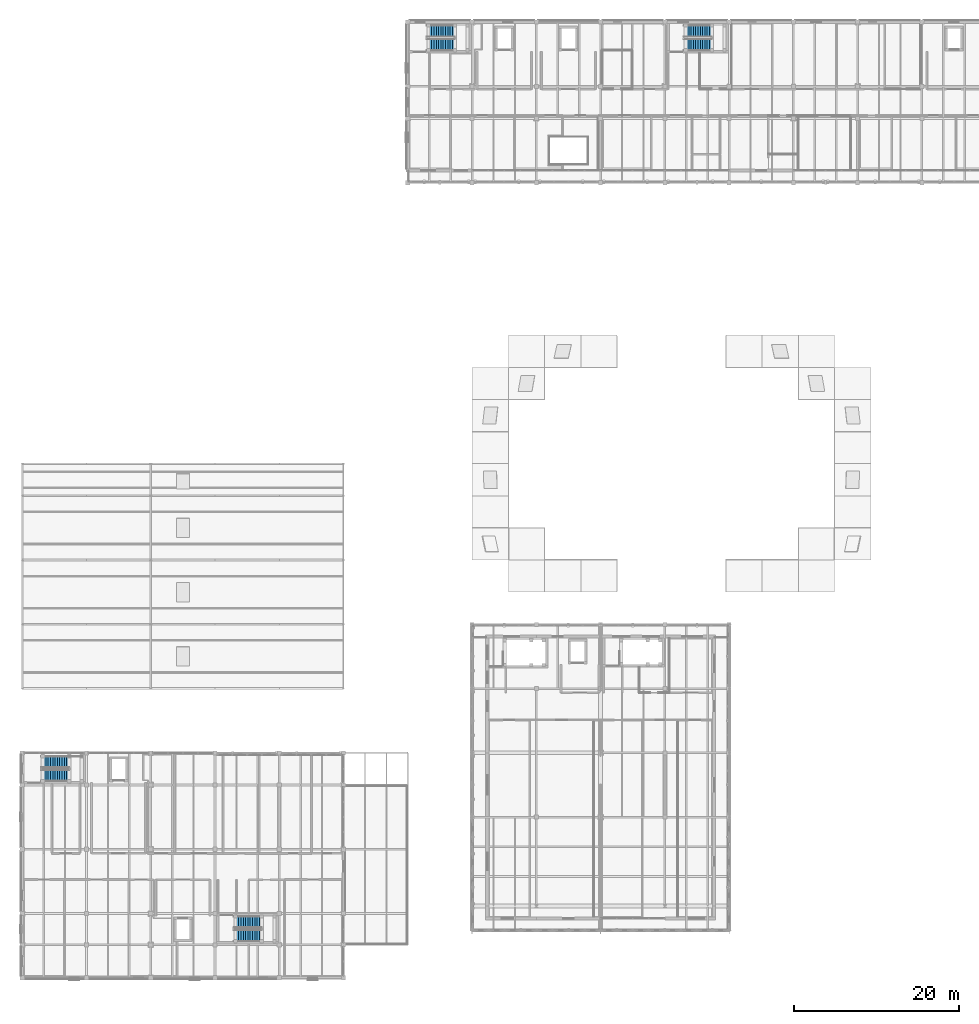
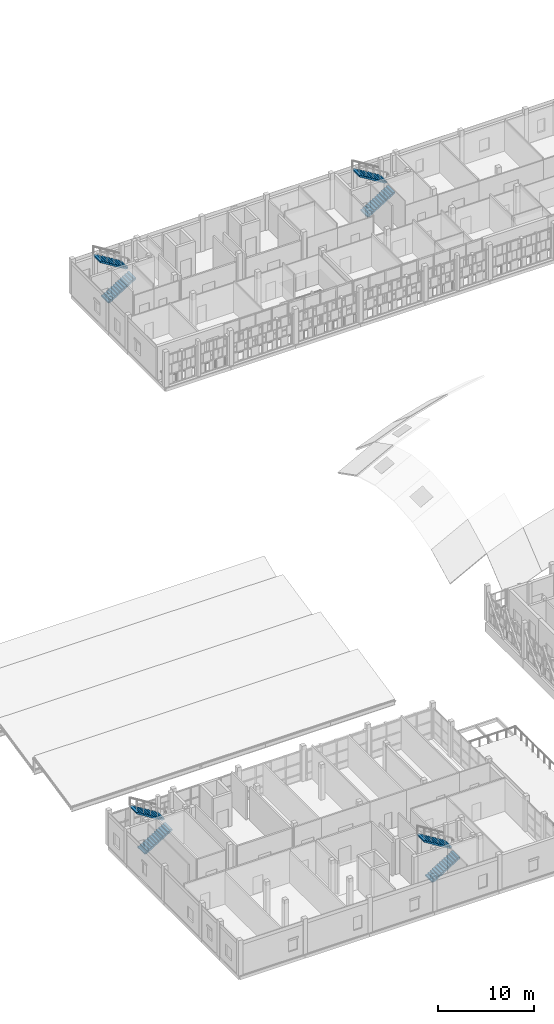
# One storey, part 73 of 89: 8 stair flights, 4 elements without a shape of their own.
"""IFC4 building model written with IfcOpenShell, lengths in metres."""

import ifcopenshell
import ifcopenshell.guid

model = None  # the IFC model being written
_history = None  # IfcOwnerHistory: only IFC2X3 demands one
_inside = {}  # id of a spatial element -> (the spatial element, [elements in it])
_under = {}  # id of a project, library or spatial element -> (it, [spatial elements below it])
_declared = {}  # id of a project -> (the project, [libraries it declares])
_typed = {}  # id of a type object -> (the type object, [elements of that type])
_made_of = {}  # id of a material, layer set ... -> (it, [elements and type objects made of it])


def new_model(schema):
    """Start an empty IFC model of exactly this schema.

    Asked for "IFC4X3", IfcOpenShell would pick the latest addendum, in which some entities
    have other attributes; the version numbers below select the first issue.
    IFC2X3 requires an IfcOwnerHistory on every rooted entity: one is made here for all.
    """
    global model, _history
    if schema == "IFC4X3":
        model = ifcopenshell.file(schema_version=(4, 3, 0, 0))
    else:
        model = ifcopenshell.file(schema=schema)
    _inside.clear()
    _under.clear()
    _declared.clear()
    _typed.clear()
    _made_of.clear()
    _history = None
    if model.schema == "IFC2X3":
        org = make("IfcOrganization", Name="unknown")
        user = make(
            "IfcPersonAndOrganization",
            ThePerson=make("IfcPerson", FamilyName="unknown"),
            TheOrganization=org,
        )
        app = make(
            "IfcApplication",
            ApplicationDeveloper=org,
            Version="unknown",
            ApplicationFullName="unknown",
            ApplicationIdentifier="unknown",
        )
        _history = make(
            "IfcOwnerHistory",
            OwningUser=user,
            OwningApplication=app,
            ChangeAction="ADDED",
            CreationDate=0,
        )
    return model


def make(cls, **values):
    """One entity of the class cls with the attributes given. An attribute that is None is left unset."""
    return model.create_entity(
        cls, **{name: value for name, value in values.items() if value is not None}
    )


def rooted(cls, **values):
    """An entity with a GlobalId (a new one), such as an element, a storey or a relation."""
    return make(cls, GlobalId=ifcopenshell.guid.new(), OwnerHistory=_history, **values)


def si_unit(unit_type, name, prefix=None):
    """IfcSIUnit, for example si_unit("LENGTHUNIT", "METRE", prefix="MILLI")."""
    return make("IfcSIUnit", UnitType=unit_type, Prefix=prefix, Name=name)


def assignment(units):
    """IfcUnitAssignment: the units of a project."""
    return None if units is None else make("IfcUnitAssignment", Units=units)


def point(xyz):
    """IfcCartesianPoint."""
    return None if xyz is None else make("IfcCartesianPoint", Coordinates=xyz)


def direction(xyz):
    """IfcDirection."""
    return None if xyz is None else make("IfcDirection", DirectionRatios=xyz)


def frame(location, z_axis=None, x_axis=None):
    """IfcAxis2Placement3D, a coordinate frame: its origin and axes. An axis left out is left unset."""
    return make(
        "IfcAxis2Placement3D",
        Location=point(location),
        Axis=direction(z_axis),
        RefDirection=direction(x_axis),
    )


def origin():
    """The frame at (0, 0, 0) with its axes left unset."""
    return frame((0.0, 0.0, 0.0))


def place(relative_to, where):
    """IfcLocalPlacement: puts the frame where relative to a parent placement (None: the world)."""
    return make(
        "IfcLocalPlacement", PlacementRelTo=relative_to, RelativePlacement=where
    )


def context(
    kind, dimensions, precision=None, world=None, true_north=None, identifier=None
):
    """IfcGeometricRepresentationContext, for example the 3D "Model" context."""
    return make(
        "IfcGeometricRepresentationContext",
        ContextIdentifier=identifier,
        ContextType=kind,
        CoordinateSpaceDimension=dimensions,
        Precision=precision,
        WorldCoordinateSystem=world,
        TrueNorth=true_north,
    )


def subcontext(parent, identifier, kind, view, scale=None):
    """IfcGeometricRepresentationSubContext, for example "Body" below "Model"."""
    return make(
        "IfcGeometricRepresentationSubContext",
        ContextIdentifier=identifier,
        ContextType=kind,
        ParentContext=parent,
        TargetScale=scale,
        TargetView=view,
    )


def project(units=None, contexts=None):
    """IfcProject with its units and contexts."""
    return rooted(
        "IfcProject",
        Name="project",
        RepresentationContexts=contexts,
        UnitsInContext=assignment(units),
    )


def spatial(cls, under=None, at=None, **own):
    """A site, building, storey or space (cls), placed at a placement, below another one or the project."""
    s = rooted(cls, ObjectPlacement=at, **own)
    if under is not None:
        _under.setdefault(under.id(), (under, []))[1].append(s)
    return s


def polyline(points):
    """IfcPolyline through the points."""
    return make("IfcPolyline", Points=[point(p) for p in points])


def outline(outer, holes=None, kind="AREA"):
    """IfcArbitraryClosedProfileDef: a profile drawn as a closed curve; with holes, ...WithVoids."""
    if holes is None:
        return make("IfcArbitraryClosedProfileDef", ProfileType=kind, OuterCurve=outer)
    return make(
        "IfcArbitraryProfileDefWithVoids",
        ProfileType=kind,
        OuterCurve=outer,
        InnerCurves=holes,
    )


def extrude(swept, where, along, depth):
    """IfcExtrudedAreaSolid: the profile swept, set in the frame where, extruded along a direction by depth."""
    return make(
        "IfcExtrudedAreaSolid",
        SweptArea=swept,
        Position=where,
        ExtrudedDirection=direction(along),
        Depth=depth,
    )


def shape(context_of_items, identifier, shape_type, items):
    """IfcShapeRepresentation: the items that make up one representation, for example the "Body"."""
    return make(
        "IfcShapeRepresentation",
        ContextOfItems=context_of_items,
        RepresentationIdentifier=identifier,
        RepresentationType=shape_type,
        Items=items,
    )


def material(Name=None, Category=None):
    """IfcMaterial."""
    return make("IfcMaterial", Name=Name, Category=Category)


def made_of(thing, what):
    """Note that an element or type object is made of a material, layer set ...; save() writes the relation."""
    if what is not None:
        _made_of.setdefault(what.id(), (what, []))[1].append(thing)
    return thing


def type_object(cls, material=None, **own):
    """A type object (cls), such as IfcWallType, which elements share."""
    return made_of(rooted(cls, **own), material)


def element(
    cls,
    number,
    at=None,
    inside=None,
    cuts=None,
    type_object=None,
    material=None,
    context=None,
    identifier="Body",
    shape_type=None,
    held_by="IfcProductDefinitionShape",
    body=None,
    shapes=None,
    **own,
):
    """One element of the class cls, such as IfcWall. Its Tag is "e" and its number.

    at: its placement. inside: the storey or other place that contains it. cuts: it is an
    opening in that element (IfcRelVoidsElement). A single representation is given by context,
    identifier, shape_type and body (its items); several are given by shapes. held_by: the class
    of the entity that holds the representations. save() writes the other relations.
    """
    e = rooted(cls, Tag="e%d" % number, ObjectPlacement=at, **own)
    if body is not None:
        shapes = [shape(context, identifier, shape_type, body)]
    if shapes is not None:
        e.Representation = make(held_by, Representations=shapes)
    if inside is not None:
        _inside.setdefault(inside.id(), (inside, []))[1].append(e)
    if cuts is not None:
        rooted(
            "IfcRelVoidsElement", RelatingBuildingElement=cuts, RelatedOpeningElement=e
        )
    if type_object is not None:
        _typed.setdefault(type_object.id(), (type_object, []))[1].append(e)
    return made_of(e, material)


def aggregate(whole, parts):
    """IfcRelAggregates: a whole, such as a stair, and the parts it consists of."""
    return rooted("IfcRelAggregates", RelatingObject=whole, RelatedObjects=parts)


def save(model, path):
    """Write the relations noted so far, then the file.

    IfcRelAggregates (storeys below a building ...), IfcRelContainedInSpatialStructure (elements
    in a storey), IfcRelDefinesByType, IfcRelAssociatesMaterial and IfcRelDeclares: one each for
    every whole, place, type object, material and project.
    """
    for whole, parts in _under.values():
        aggregate(whole, parts)
    for where, things in _inside.values():
        rooted(
            "IfcRelContainedInSpatialStructure",
            RelatedElements=things,
            RelatingStructure=where,
        )
    for kind, things in _typed.values():
        rooted("IfcRelDefinesByType", RelatedObjects=things, RelatingType=kind)
    for what, things in _made_of.values():
        rooted("IfcRelAssociatesMaterial", RelatedObjects=things, RelatingMaterial=what)
    for by, libraries in _declared.values():
        rooted("IfcRelDeclares", RelatingContext=by, RelatedDefinitions=libraries)
    model.write(path)


model = new_model("IFC4")

# Units and contexts
model_context = context("Model", 3, precision=1e-05, world=origin(), true_north=direction((0.0, 1.0)))
body_context = subcontext(model_context, "Body", "Model", "MODEL_VIEW")
ifc_project = project(units=[si_unit("LENGTHUNIT", "METRE"), si_unit("AREAUNIT", "SQUARE_METRE"), si_unit("VOLUMEUNIT", "CUBIC_METRE"), si_unit("PLANEANGLEUNIT", "RADIAN"), si_unit("MASSUNIT", "GRAM", prefix="KILO")], contexts=[model_context])

# Site, building, storey
site_placement = place(None, origin())
site = spatial("IfcSite", under=ifc_project, at=site_placement, CompositionType="ELEMENT")
building_placement = place(site_placement, origin())
building = spatial("IfcBuilding", under=site, at=building_placement, Name="Celorna Specialist Clinic", CompositionType="ELEMENT")
storey_placement = place(building_placement, frame((0.0, 0.0, 14.10009765625)))
storey = spatial("IfcBuildingStorey", under=building, at=storey_placement, Name="L03", CompositionType="ELEMENT", Elevation=14.10009765625)

# Stair, stair flights
ifc_material = material(Name="Concrete C35/45", Category="concrete")
stair_type = type_object("IfcStairType", Name="ST-01", PredefinedType="HALF_TURN_STAIR", material=ifc_material)
stair_1_placement = place(storey_placement, origin())
stair_1 = element("IfcStair", 1, at=stair_1_placement, inside=storey, type_object=stair_type, Name="L03 Protected exit stair ST-01", PredefinedType="HALF_TURN_STAIR")
stair_flight_type = type_object("IfcStairFlightType", Name="SFL-01", PredefinedType="STRAIGHT", material=ifc_material)
stair_flight_1_placement = place(storey_placement, frame((49.139892578125, 113.2451171875, 0.0), z_axis=(0.0, 0.0, 1.0), x_axis=(1.0, 0.0, 0.0)))
stair_flight_1 = element("IfcStairFlight", 2, at=stair_flight_1_placement, type_object=stair_flight_type, Name="ST-01 flight 1", NumberOfRisers=13, NumberOfTreads=12, PredefinedType="STRAIGHT", RiserHeight=0.173076923, TreadLength=0.28, context=body_context, shape_type="SweptSolid", body=[
    extrude(outline(polyline([(0.0, 0.0), (0.0, 0.173095703125), (0.280029296875, 0.173095703125), (0.280029296875, 0.34619140625), (0.56005859375, 0.34619140625), (0.56005859375, 0.519287109375), (0.840087890625, 0.519287109375), (0.840087890625, 0.6923828125), (1.1201171875, 0.6923828125), (1.1201171875, 0.865478515625), (1.39990234375, 0.865478515625), (1.39990234375, 1.03857421875), (1.679931640625, 1.03857421875), (1.679931640625, 1.21142578125), (1.9599609375, 1.21142578125), (1.9599609375, 1.384521484375), (2.239990234375, 1.384521484375), (2.239990234375, 1.5576171875), (2.52001953125, 1.5576171875), (2.52001953125, 1.730712890625), (2.800048828125, 1.730712890625), (2.800048828125, 1.90380859375), (3.080078125, 1.90380859375), (3.080078125, 2.076904296875), (3.360107421875, 2.076904296875), (3.360107421875, 2.25), (3.360107421875, 1.900634765625), (0.28515625, 0.0), (0.0, 0.0)])), frame((0.0, 0.72509765625, 0.0), z_axis=(0.0, -1.0, 0.0), x_axis=(1.0, 0.0, 0.0)), (0.0, 0.0, 1.0), 1.449951171875),
])
stair_flight_2_placement = place(storey_placement, frame((52.5, 114.89501953125, 2.25), z_axis=(0.0, 0.0, 1.0), x_axis=(-1.0, 0.0, 0.0)))
stair_flight_2 = element("IfcStairFlight", 3, at=stair_flight_2_placement, type_object=stair_flight_type, Name="ST-01 flight 2", NumberOfRisers=13, NumberOfTreads=12, PredefinedType="STRAIGHT", RiserHeight=0.173076923, TreadLength=0.28, context=body_context, shape_type="SweptSolid", body=[
    extrude(outline(polyline([(0.0, 0.0), (0.0, 0.173095703125), (0.280029296875, 0.173095703125), (0.280029296875, 0.34619140625), (0.56005859375, 0.34619140625), (0.56005859375, 0.519287109375), (0.840087890625, 0.519287109375), (0.840087890625, 0.6923828125), (1.1201171875, 0.6923828125), (1.1201171875, 0.865478515625), (1.39990234375, 0.865478515625), (1.39990234375, 1.03857421875), (1.679931640625, 1.03857421875), (1.679931640625, 1.21142578125), (1.9599609375, 1.21142578125), (1.9599609375, 1.384521484375), (2.239990234375, 1.384521484375), (2.239990234375, 1.5576171875), (2.52001953125, 1.5576171875), (2.52001953125, 1.730712890625), (2.800048828125, 1.730712890625), (2.800048828125, 1.90380859375), (3.080078125, 1.90380859375), (3.080078125, 2.076904296875), (3.360107421875, 2.076904296875), (3.360107421875, 2.25), (3.360107421875, 1.900634765625), (0.28515625, 0.0), (0.0, 0.0)])), frame((0.0, 0.72509765625, 0.0), z_axis=(0.0, -1.0, 0.0), x_axis=(1.0, 0.0, 0.0)), (0.0, 0.0, 1.0), 1.449951171875),
])
aggregate(stair_1, [stair_flight_1, stair_flight_2])

stair_2_placement = place(storey_placement, origin())
stair_2 = element("IfcStair", 4, at=stair_2_placement, inside=storey, type_object=stair_type, Name="L03 Protected exit stair ST-02", PredefinedType="HALF_TURN_STAIR")
stair_flight_3_placement = place(storey_placement, frame((80.340087890625, 113.2451171875, 0.0), z_axis=(0.0, 0.0, 1.0), x_axis=(1.0, 0.0, 0.0)))
stair_flight_3 = element("IfcStairFlight", 5, at=stair_flight_3_placement, type_object=stair_flight_type, Name="ST-02 flight 1", NumberOfRisers=13, NumberOfTreads=12, PredefinedType="STRAIGHT", RiserHeight=0.173076923, TreadLength=0.28, context=body_context, shape_type="SweptSolid", body=[
    extrude(outline(polyline([(0.0, 0.0), (0.0, 0.173095703125), (0.280029296875, 0.173095703125), (0.280029296875, 0.34619140625), (0.56005859375, 0.34619140625), (0.56005859375, 0.519287109375), (0.840087890625, 0.519287109375), (0.840087890625, 0.6923828125), (1.1201171875, 0.6923828125), (1.1201171875, 0.865478515625), (1.39990234375, 0.865478515625), (1.39990234375, 1.03857421875), (1.679931640625, 1.03857421875), (1.679931640625, 1.21142578125), (1.9599609375, 1.21142578125), (1.9599609375, 1.384521484375), (2.239990234375, 1.384521484375), (2.239990234375, 1.5576171875), (2.52001953125, 1.5576171875), (2.52001953125, 1.730712890625), (2.800048828125, 1.730712890625), (2.800048828125, 1.90380859375), (3.080078125, 1.90380859375), (3.080078125, 2.076904296875), (3.360107421875, 2.076904296875), (3.360107421875, 2.25), (3.360107421875, 1.900634765625), (0.28515625, 0.0), (0.0, 0.0)])), frame((0.0, 0.72509765625, 0.0), z_axis=(0.0, -1.0, 0.0), x_axis=(1.0, 0.0, 0.0)), (0.0, 0.0, 1.0), 1.449951171875),
])
stair_flight_4_placement = place(storey_placement, frame((83.699951171875, 114.89501953125, 2.25), z_axis=(0.0, 0.0, 1.0), x_axis=(-1.0, 0.0, 0.0)))
stair_flight_4 = element("IfcStairFlight", 6, at=stair_flight_4_placement, type_object=stair_flight_type, Name="ST-02 flight 2", NumberOfRisers=13, NumberOfTreads=12, PredefinedType="STRAIGHT", RiserHeight=0.173076923, TreadLength=0.28, context=body_context, shape_type="SweptSolid", body=[
    extrude(outline(polyline([(0.0, 0.0), (0.0, 0.173095703125), (0.280029296875, 0.173095703125), (0.280029296875, 0.34619140625), (0.56005859375, 0.34619140625), (0.56005859375, 0.519287109375), (0.840087890625, 0.519287109375), (0.840087890625, 0.6923828125), (1.1201171875, 0.6923828125), (1.1201171875, 0.865478515625), (1.39990234375, 0.865478515625), (1.39990234375, 1.03857421875), (1.679931640625, 1.03857421875), (1.679931640625, 1.21142578125), (1.9599609375, 1.21142578125), (1.9599609375, 1.384521484375), (2.239990234375, 1.384521484375), (2.239990234375, 1.5576171875), (2.52001953125, 1.5576171875), (2.52001953125, 1.730712890625), (2.800048828125, 1.730712890625), (2.800048828125, 1.90380859375), (3.080078125, 1.90380859375), (3.080078125, 2.076904296875), (3.360107421875, 2.076904296875), (3.360107421875, 2.25), (3.360107421875, 1.900634765625), (0.28515625, 0.0), (0.0, 0.0)])), frame((0.0, 0.72509765625, 0.0), z_axis=(0.0, -1.0, 0.0), x_axis=(1.0, 0.0, 0.0)), (0.0, 0.0, 1.0), 1.449951171875),
])
aggregate(stair_2, [stair_flight_3, stair_flight_4])

stair_3_placement = place(storey_placement, origin())
stair_3 = element("IfcStair", 7, at=stair_3_placement, inside=storey, type_object=stair_type, Name="L03 Protected exit stair ST-04", PredefinedType="HALF_TURN_STAIR")
stair_flight_5_placement = place(storey_placement, frame((2.31005859375, 24.544921875, 0.0), z_axis=(0.0, 0.0, 1.0), x_axis=(1.0, 0.0, 0.0)))
stair_flight_5 = element("IfcStairFlight", 8, at=stair_flight_5_placement, type_object=stair_flight_type, Name="ST-04 flight 1", NumberOfRisers=13, NumberOfTreads=12, PredefinedType="STRAIGHT", RiserHeight=0.173076923, TreadLength=0.28, context=body_context, shape_type="SweptSolid", body=[
    extrude(outline(polyline([(0.0, 0.0), (0.0, 0.173095703125), (0.280029296875, 0.173095703125), (0.280029296875, 0.34619140625), (0.56005859375, 0.34619140625), (0.56005859375, 0.519287109375), (0.840087890625, 0.519287109375), (0.840087890625, 0.6923828125), (1.1201171875, 0.6923828125), (1.1201171875, 0.865478515625), (1.39990234375, 0.865478515625), (1.39990234375, 1.03857421875), (1.679931640625, 1.03857421875), (1.679931640625, 1.21142578125), (1.9599609375, 1.21142578125), (1.9599609375, 1.384521484375), (2.239990234375, 1.384521484375), (2.239990234375, 1.5576171875), (2.52001953125, 1.5576171875), (2.52001953125, 1.730712890625), (2.800048828125, 1.730712890625), (2.800048828125, 1.90380859375), (3.080078125, 1.90380859375), (3.080078125, 2.076904296875), (3.360107421875, 2.076904296875), (3.360107421875, 2.25), (3.360107421875, 1.900634765625), (0.28515625, 0.0), (0.0, 0.0)])), frame((0.0, 0.72509765625, 0.0), z_axis=(0.0, -1.0, 0.0), x_axis=(1.0, 0.0, 0.0)), (0.0, 0.0, 1.0), 1.449951171875),
])
stair_flight_6_placement = place(storey_placement, frame((5.669921875, 26.195068359375, 2.25), z_axis=(0.0, 0.0, 1.0), x_axis=(-1.0, 0.0, 0.0)))
stair_flight_6 = element("IfcStairFlight", 9, at=stair_flight_6_placement, type_object=stair_flight_type, Name="ST-04 flight 2", NumberOfRisers=13, NumberOfTreads=12, PredefinedType="STRAIGHT", RiserHeight=0.173076923, TreadLength=0.28, context=body_context, shape_type="SweptSolid", body=[
    extrude(outline(polyline([(0.0, 0.0), (0.0, 0.173095703125), (0.280029296875, 0.173095703125), (0.280029296875, 0.34619140625), (0.56005859375, 0.34619140625), (0.56005859375, 0.519287109375), (0.840087890625, 0.519287109375), (0.840087890625, 0.6923828125), (1.1201171875, 0.6923828125), (1.1201171875, 0.865478515625), (1.39990234375, 0.865478515625), (1.39990234375, 1.03857421875), (1.679931640625, 1.03857421875), (1.679931640625, 1.21142578125), (1.9599609375, 1.21142578125), (1.9599609375, 1.384521484375), (2.239990234375, 1.384521484375), (2.239990234375, 1.5576171875), (2.52001953125, 1.5576171875), (2.52001953125, 1.730712890625), (2.800048828125, 1.730712890625), (2.800048828125, 1.90380859375), (3.080078125, 1.90380859375), (3.080078125, 2.076904296875), (3.360107421875, 2.076904296875), (3.360107421875, 2.25), (3.360107421875, 1.900634765625), (0.28515625, 0.0), (0.0, 0.0)])), frame((0.0, 0.72509765625, 0.0), z_axis=(0.0, -1.0, 0.0), x_axis=(1.0, 0.0, 0.0)), (0.0, 0.0, 1.0), 1.449951171875),
])
aggregate(stair_3, [stair_flight_5, stair_flight_6])

stair_4_placement = place(storey_placement, origin())
stair_4 = element("IfcStair", 10, at=stair_4_placement, inside=storey, type_object=stair_type, Name="L03 Protected exit stair ST-05", PredefinedType="HALF_TURN_STAIR")
stair_flight_7_placement = place(storey_placement, frame((25.7099609375, 5.10498046875, 0.0), z_axis=(0.0, 0.0, 1.0), x_axis=(1.0, 0.0, 0.0)))
stair_flight_7 = element("IfcStairFlight", 11, at=stair_flight_7_placement, type_object=stair_flight_type, Name="ST-05 flight 1", NumberOfRisers=13, NumberOfTreads=12, PredefinedType="STRAIGHT", RiserHeight=0.173076923, TreadLength=0.28, context=body_context, shape_type="SweptSolid", body=[
    extrude(outline(polyline([(0.0, 0.0), (0.0, 0.173095703125), (0.280029296875, 0.173095703125), (0.280029296875, 0.34619140625), (0.56005859375, 0.34619140625), (0.56005859375, 0.519287109375), (0.840087890625, 0.519287109375), (0.840087890625, 0.6923828125), (1.1201171875, 0.6923828125), (1.1201171875, 0.865478515625), (1.39990234375, 0.865478515625), (1.39990234375, 1.03857421875), (1.679931640625, 1.03857421875), (1.679931640625, 1.21142578125), (1.9599609375, 1.21142578125), (1.9599609375, 1.384521484375), (2.239990234375, 1.384521484375), (2.239990234375, 1.5576171875), (2.52001953125, 1.5576171875), (2.52001953125, 1.730712890625), (2.800048828125, 1.730712890625), (2.800048828125, 1.90380859375), (3.080078125, 1.90380859375), (3.080078125, 2.076904296875), (3.360107421875, 2.076904296875), (3.360107421875, 2.25), (3.360107421875, 1.900634765625), (0.28515625, 0.0), (0.0, 0.0)])), frame((0.0, 0.72509765625, 0.0), z_axis=(0.0, -1.0, 0.0), x_axis=(1.0, 0.0, 0.0)), (0.0, 0.0, 1.0), 1.449951171875),
])
stair_flight_8_placement = place(storey_placement, frame((29.070068359375, 6.7548828125, 2.25), z_axis=(0.0, 0.0, 1.0), x_axis=(-1.0, 0.0, 0.0)))
stair_flight_8 = element("IfcStairFlight", 12, at=stair_flight_8_placement, type_object=stair_flight_type, Name="ST-05 flight 2", NumberOfRisers=13, NumberOfTreads=12, PredefinedType="STRAIGHT", RiserHeight=0.173076923, TreadLength=0.28, context=body_context, shape_type="SweptSolid", body=[
    extrude(outline(polyline([(0.0, 0.0), (0.0, 0.173095703125), (0.280029296875, 0.173095703125), (0.280029296875, 0.34619140625), (0.56005859375, 0.34619140625), (0.56005859375, 0.519287109375), (0.840087890625, 0.519287109375), (0.840087890625, 0.6923828125), (1.1201171875, 0.6923828125), (1.1201171875, 0.865478515625), (1.39990234375, 0.865478515625), (1.39990234375, 1.03857421875), (1.679931640625, 1.03857421875), (1.679931640625, 1.21142578125), (1.9599609375, 1.21142578125), (1.9599609375, 1.384521484375), (2.239990234375, 1.384521484375), (2.239990234375, 1.5576171875), (2.52001953125, 1.5576171875), (2.52001953125, 1.730712890625), (2.800048828125, 1.730712890625), (2.800048828125, 1.90380859375), (3.080078125, 1.90380859375), (3.080078125, 2.076904296875), (3.360107421875, 2.076904296875), (3.360107421875, 2.25), (3.360107421875, 1.900634765625), (0.28515625, 0.0), (0.0, 0.0)])), frame((0.0, 0.72509765625, 0.0), z_axis=(0.0, -1.0, 0.0), x_axis=(1.0, 0.0, 0.0)), (0.0, 0.0, 1.0), 1.449951171875),
])
aggregate(stair_4, [stair_flight_7, stair_flight_8])

save(model, "model.ifc")
